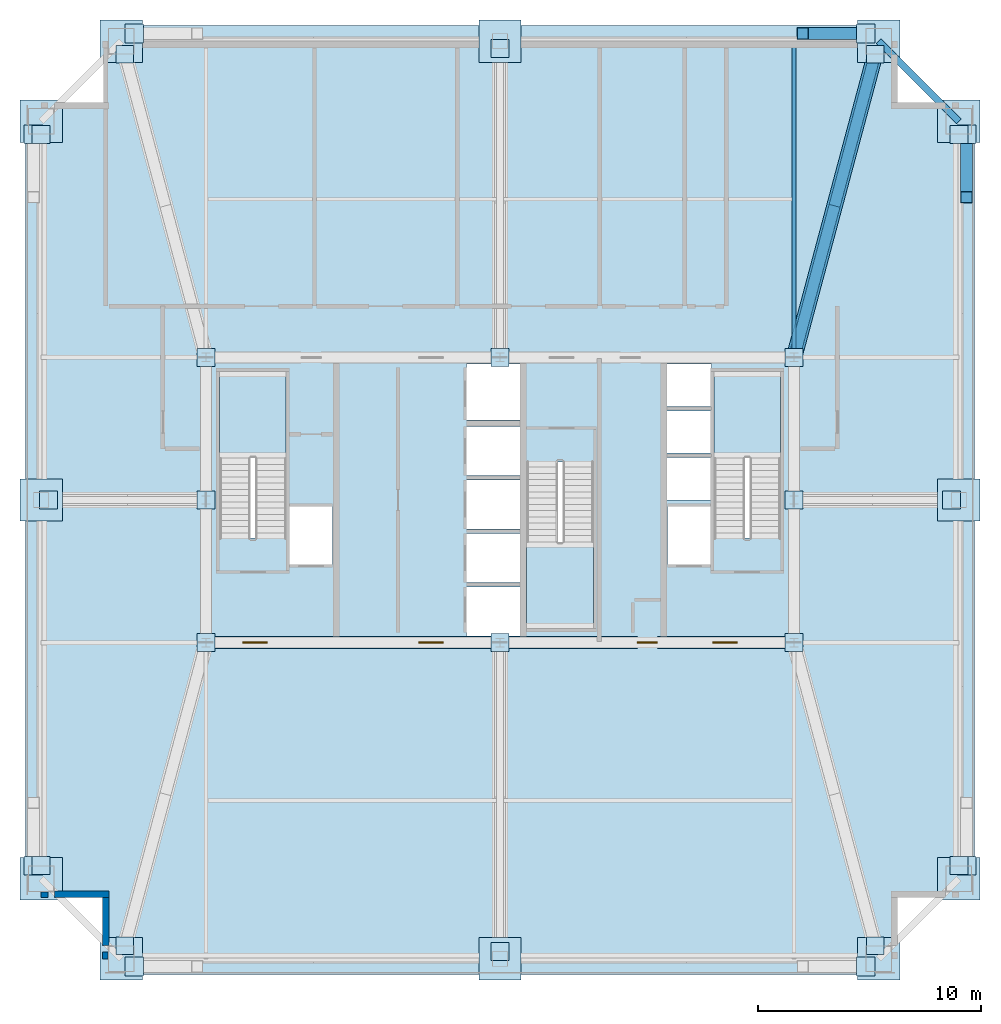
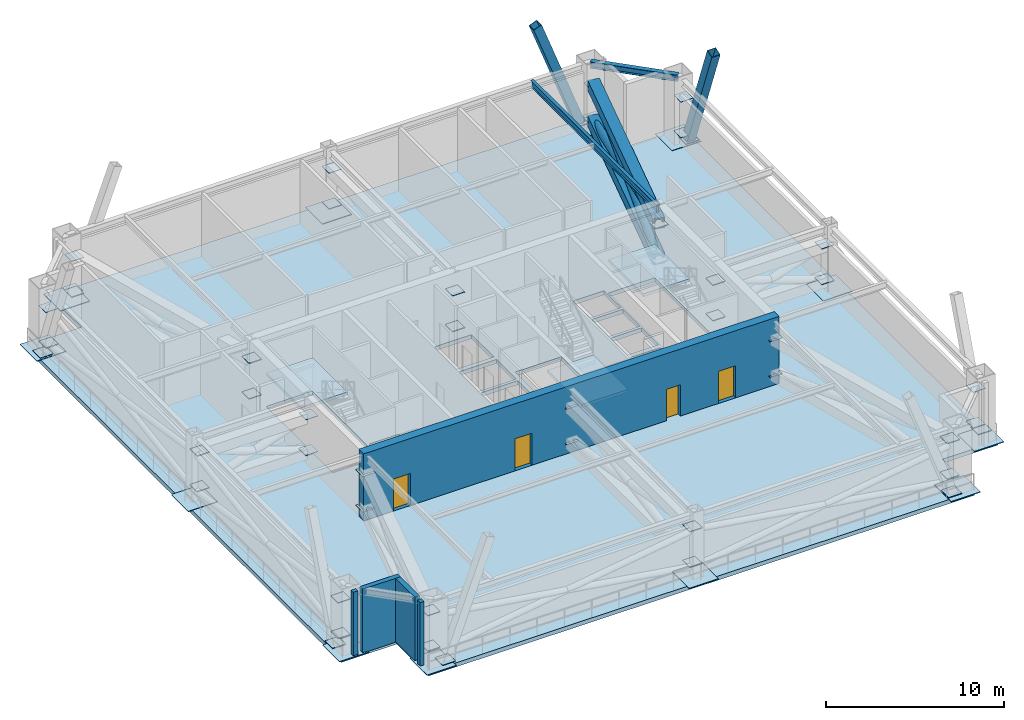
# One storey, part 3 of 9: 60 plates, 6 members, 5 walls, 4 doors, 4 slabs, 2 beams, 4 openings, 3 elements without a shape of their own.
"""IFC4 building model written with IfcOpenShell, lengths in metres."""

from ifc_helpers import new_model, si_unit, direction, frame, frame_2d, origin, origin_2d, place, context, subcontext, project, spatial, polyline, rectangle, hollow_rectangle, hollow_circle, i_section, outline, extrude, source, transform, mapped, material, layer, layer_set, material_profile, profile_set, type_object, element, fill, aggregate, save


model = new_model("IFC4")

# Units and contexts
model_context = context("Model", 3, precision=1e-05, world=origin(), true_north=direction((0.0, 1.0)))
body_context = subcontext(model_context, "Body", "Model", "MODEL_VIEW")
ifc_project = project(units=[si_unit("LENGTHUNIT", "METRE"), si_unit("AREAUNIT", "SQUARE_METRE"), si_unit("VOLUMEUNIT", "CUBIC_METRE"), si_unit("PLANEANGLEUNIT", "RADIAN"), si_unit("MASSUNIT", "GRAM", prefix="KILO"), si_unit("THERMODYNAMICTEMPERATUREUNIT", "KELVIN"), si_unit("POWERUNIT", "WATT")], contexts=[model_context])

# Site, building, storey
site_placement = place(None, origin())
site = spatial("IfcSite", under=ifc_project, at=site_placement, CompositionType="ELEMENT")
building_placement = place(site_placement, origin())
building = spatial("IfcBuilding", under=site, at=building_placement, Name="Yuzanri Waterfront Tower", CompositionType="ELEMENT")
storey_placement = place(building_placement, frame((0.0, 0.0, 219.5)))
storey = spatial("IfcBuildingStorey", under=building, at=storey_placement, Name="L58", CompositionType="ELEMENT", Elevation=219.5)

# Beams
ifc_material_1 = material(Name="Steel Q355B", Category="steel")
ifc_material_profile_1 = material_profile(ifc_material_1, i_section(OverallWidth=0.300048828125, OverallDepth=0.43994140625, WebThickness=0.010986328125, FlangeThickness=0.01806640625, at=origin_2d()), Name="HM 440x300x11x18")
ifc_profile_set_1 = profile_set([ifc_material_profile_1], Name="Steel Q355B")
beam_type_1 = type_object("IfcBeamType", Name="Perimeter Spandrel Q355B HM 440x300", PredefinedType="SPANDREL", material=ifc_profile_set_1)
shared_shape_1 = source(origin(), body_context, "Body", "SweptSolid", [
    extrude(i_section(OverallWidth=0.300048828125, OverallDepth=0.43994140625, WebThickness=0.010986328125, FlangeThickness=0.01806640625, at=origin_2d()), origin(), (0.0, 0.0, 1.0), 5.091064453125),
])
beam_1_placement = place(storey_placement, frame((57.60009765625, 42.800048828125, 4.159912109375), z_axis=(-0.707130757816, 0.707082803744, 0.0), x_axis=(-0.707082803744, -0.707130757816, 0.0)))
element("IfcBeam", 1, at=beam_1_placement, inside=storey, type_object=beam_type_1, Name="L58 Perimeter Spandrel E3-N3", PredefinedType="SPANDREL", context=body_context, shape_type="MappedRepresentation", body=[
    mapped(shared_shape_1, transform((0.0, 0.0, 0.0), scale=1.0)),
])
ifc_material_2 = material(Name="Steel Q355B", Category="steel")
ifc_material_profile_2 = material_profile(ifc_material_2, i_section(OverallWidth=0.199951171875, OverallDepth=0.449951171875, WebThickness=0.009033203125, FlangeThickness=0.013916015625, at=origin_2d()), Name="HN 450x200x9x14")
ifc_profile_set_2 = profile_set([ifc_material_profile_2], Name="Steel Q355B")
beam_type_2 = type_object("IfcBeamType", Name="Secondary Floor Beam Q355B HN 450x200", PredefinedType="BEAM", material=ifc_profile_set_2)
shared_shape_2 = source(origin(), body_context, "Body", "SweptSolid", [
    extrude(i_section(OverallWidth=0.199951171875, OverallDepth=0.449951171875, WebThickness=0.009033203125, FlangeThickness=0.013916015625, at=origin_2d()), origin(), (0.0, 0.0, 1.0), 14.199951171875),
])
beam_2_placement = place(storey_placement, frame((50.199951171875, 32.199951171875, 4.155029296875), z_axis=(0.0, 1.0, 0.0), x_axis=(-1.0, 0.0, 0.0)))
element("IfcBeam", 2, at=beam_2_placement, inside=storey, type_object=beam_type_2, Name="L58 North-East Core Line Beam", PredefinedType="BEAM", context=body_context, shape_type="MappedRepresentation", body=[
    mapped(shared_shape_2, transform((0.0, 0.0, 0.0), scale=1.0)),
])

# Members
ifc_material_3 = material(Name="Steel Q390GJC", Category="steel")
ifc_material_profile_3 = material_profile(ifc_material_3, hollow_rectangle(XDim=0.550048828125, YDim=0.550048828125, WallThickness=0.02490234375, at=origin_2d()), Name="RHS 550x550x25")
ifc_profile_set_3 = profile_set([ifc_material_profile_3], Name="Steel Q390GJC")
member_type_1 = type_object("IfcMemberType", Name="Mega Brace Mid Q390GJC RHS 550x550x25", PredefinedType="BRACE", material=ifc_profile_set_3)
shared_shape_3 = source(origin(), body_context, "Body", "SweptSolid", [
    extrude(hollow_rectangle(XDim=0.550048828125, YDim=0.550048828125, WallThickness=0.02490234375, at=origin_2d()), origin(), (0.0, 0.0, 1.0), 8.1064453125),
])
for number, where, z_axis, x_axis, name in (
    (3, (53.419921875, 46.739990234375, 0.179931640625), (-0.347853792424, 0.0, 0.937548792915), (0.0, -1.0, 0.0), "L58-L59 Perimeter Mega-Brace N-R"),
    (4, (57.93994140625, 42.219970703125, 0.179931640625), (0.0, -0.347880264969, 0.937538970521), (1.0, 0.0, 0.0), "L58-L59 Perimeter Mega-Brace E-R"),
):
    element("IfcMember", number, at=place(storey_placement, frame(where, z_axis=z_axis, x_axis=x_axis)), inside=storey, type_object=member_type_1, Name=name, PredefinedType="BRACE", context=body_context, shape_type="MappedRepresentation", body=[
        mapped(shared_shape_3, transform((0.0, 0.0, 0.0), scale=1.0)),
    ])
ifc_material_4 = material(Name="Steel Q420GJC", Category="steel")
ifc_material_profile_4 = material_profile(ifc_material_4, hollow_rectangle(XDim=0.699951171875, YDim=0.699951171875, WallThickness=0.031982421875, at=origin_2d()), Name="RHS 700x700x32")
ifc_profile_set_4 = profile_set([ifc_material_profile_4], Name="Steel Q420GJC")
member_type_2 = type_object("IfcMemberType", Name="Outrigger Chord Q420GJC RHS 700x700x32", PredefinedType="CHORD", material=ifc_profile_set_4)
shared_shape_4 = source(origin(), body_context, "Body", "SweptSolid", [
    extrude(hollow_rectangle(XDim=0.699951171875, YDim=0.699951171875, WallThickness=0.031982421875, at=origin_2d()), origin(), (0.0, 0.0, 1.0), 14.093994140625),
])
for number, where, z_axis, x_axis, name in (
    (5, (50.199951171875, 32.199951171875, 0.719970703125), (0.258516440728, 0.966006858088, 0.0), (-0.966006858088, 0.258516440728, 0.0), "L58 Outrigger Bottom Chord N3"),
    (6, (50.199951171875, 32.199951171875, 3.159912109375), (0.258516440728, 0.966006858088, 0.0), (-0.966006858088, 0.258516440728, 0.0), "L58 Outrigger Top Chord N3"),
):
    element("IfcMember", number, at=place(storey_placement, frame(where, z_axis=z_axis, x_axis=x_axis)), inside=storey, type_object=member_type_2, Name=name, PredefinedType="CHORD", context=body_context, shape_type="MappedRepresentation", body=[
        mapped(shared_shape_4, transform((0.0, 0.0, 0.0), scale=1.0)),
    ])
ifc_material_5 = material(Name="Steel Q420GJC", Category="steel")
ifc_material_profile_5 = material_profile(ifc_material_5, hollow_circle(Radius=0.25390625, WallThickness=0.02001953125, at=origin_2d()), Name="CHS 508x20")
ifc_profile_set_5 = profile_set([ifc_material_profile_5], Name="Steel Q420GJC")
member_type_3 = type_object("IfcMemberType", Name="Outrigger Diagonal Q420GJC CHS 508x20", PredefinedType="BRACE", material=ifc_profile_set_5)
shared_shape_5 = source(origin(), body_context, "Body", "SweptSolid", [
    extrude(hollow_circle(Radius=0.25390625, WallThickness=0.02001953125, at=origin_2d()), origin(), (0.0, 0.0, 1.0), 14.3037109375),
])
for number, where, z_axis, x_axis, name in (
    (7, (50.199951171875, 32.199951171875, 0.719970703125), (0.254727546341, 0.951848772234, 0.170580749004), (-0.966006858088, 0.258516440728, 0.0), "L58 Outrigger Diagonal 1 N3"),
    (8, (50.199951171875, 32.199951171875, 3.159912109375), (0.254727546341, 0.951848772234, -0.170580749004), (-0.966006858088, 0.258516440728, 0.0), "L58 Outrigger Diagonal 2 N3"),
):
    element("IfcMember", number, at=place(storey_placement, frame(where, z_axis=z_axis, x_axis=x_axis)), inside=storey, type_object=member_type_3, Name=name, PredefinedType="BRACE", context=body_context, shape_type="MappedRepresentation", body=[
        mapped(shared_shape_5, transform((0.0, 0.0, 0.0), scale=1.0)),
    ])

# Stair, slab
ifc_material_6 = material(Name="Concrete C40", Category="concrete")
stair_type = type_object("IfcStairType", Name="Concrete C40 Core Dogleg Exit Stair", PredefinedType="HALF_TURN_STAIR", material=ifc_material_6)
stair_1_placement = place(storey_placement, origin())
stair_1 = element("IfcStair", 9, at=stair_1_placement, inside=storey, type_object=stair_type, Name="L58 Smoke-Proof Core Stair ST-01", PredefinedType="HALF_TURN_STAIR")
ifc_material_7 = material(Name="Concrete C40", Category="concrete")
ifc_layer_1 = layer(ifc_material_7, 0.179931640625)
ifc_layer_set_1 = layer_set([ifc_layer_1], Name="Concrete C40")
slab_type_1 = type_object("IfcSlabType", Name="Concrete C40 Stair Half-Landing Slab 180", PredefinedType="LANDING", material=ifc_layer_set_1)
slab_1_placement = place(storey_placement, frame((0.0, 0.0, 2.10009765625)))
slab_1 = element("IfcSlab", 10, at=slab_1_placement, type_object=slab_type_1, Name="ST-01 landing 1", PredefinedType="LANDING", context=body_context, shape_type="SweptSolid", body=[
    extrude(outline(polyline([(27.39990234375, 27.679931640625), (27.39990234375, 31.580078125), (24.39990234375, 31.580078125), (24.39990234375, 27.679931640625), (27.39990234375, 27.679931640625)])), origin(), (0.0, 0.0, 1.0), 0.199951171875),
])
aggregate(stair_1, [slab_1])

stair_2_placement = place(storey_placement, origin())
stair_2 = element("IfcStair", 11, at=stair_2_placement, inside=storey, type_object=stair_type, Name="L58 Smoke-Proof Core Stair ST-02", PredefinedType="HALF_TURN_STAIR")
slab_2_placement = place(storey_placement, frame((0.0, 0.0, 2.10009765625)))
slab_2 = element("IfcSlab", 12, at=slab_2_placement, type_object=slab_type_1, Name="ST-02 landing 1", PredefinedType="LANDING", context=body_context, shape_type="SweptSolid", body=[
    extrude(outline(polyline([(49.60009765625, 27.679931640625), (49.60009765625, 31.580078125), (46.60009765625, 31.580078125), (46.60009765625, 27.679931640625), (49.60009765625, 27.679931640625)])), origin(), (0.0, 0.0, 1.0), 0.199951171875),
])
aggregate(stair_2, [slab_2])

stair_3_placement = place(storey_placement, origin())
stair_3 = element("IfcStair", 13, at=stair_3_placement, inside=storey, type_object=stair_type, Name="L58 Smoke-Proof Core Stair ST-03", PredefinedType="HALF_TURN_STAIR")
slab_3_placement = place(storey_placement, frame((0.0, 0.0, 2.10009765625)))
slab_3 = element("IfcSlab", 14, at=slab_3_placement, type_object=slab_type_1, Name="ST-03 landing 1", PredefinedType="LANDING", context=body_context, shape_type="SweptSolid", body=[
    extrude(outline(polyline([(38.199951171875, 23.919921875), (38.199951171875, 20.02001953125), (41.199951171875, 20.02001953125), (41.199951171875, 23.919921875), (38.199951171875, 23.919921875)])), origin(), (0.0, 0.0, 1.0), 0.199951171875),
])
aggregate(stair_3, [slab_3])

# Slab
ifc_material_8 = material(Name="Concrete C45", Category="concrete")
ifc_layer_2 = layer(ifc_material_8, 0.280029296875)
ifc_layer_set_2 = layer_set([ifc_layer_2], Name="Concrete C45")
slab_type_2 = type_object("IfcSlabType", Name="Concrete C45 Podium and Refuge Structural Floor Slab 280", PredefinedType="FLOOR", material=ifc_layer_set_2)
slab_4_placement = place(storey_placement, frame((0.0, 0.0, -0.280029296875)))
element("IfcSlab", 15, at=slab_4_placement, inside=storey, type_object=slab_type_2, Name="L58 Main Structural Floor Slab", PredefinedType="FLOOR", context=body_context, shape_type="SweptSolid", body=[
    extrude(outline(polyline([(19.300048828125, 4.5), (54.699951171875, 4.5), (54.699951171875, 8.10009765625), (58.300048828125, 8.10009765625), (58.300048828125, 43.5), (54.699951171875, 43.5), (54.699951171875, 47.10009765625), (19.300048828125, 47.10009765625), (19.300048828125, 43.5), (15.699951171875, 43.5), (15.699951171875, 8.10009765625), (19.300048828125, 8.10009765625), (19.300048828125, 4.5)]), holes=[polyline([(27.39990234375, 24.10009765625), (27.39990234375, 31.580078125), (24.39990234375, 31.580078125), (24.39990234375, 24.10009765625), (27.39990234375, 24.10009765625)]), polyline([(49.60009765625, 24.10009765625), (49.60009765625, 31.580078125), (46.60009765625, 31.580078125), (46.60009765625, 24.10009765625), (49.60009765625, 24.10009765625)]), polyline([(38.199951171875, 27.5), (38.199951171875, 20.02001953125), (41.199951171875, 20.02001953125), (41.199951171875, 27.5), (38.199951171875, 27.5)]), polyline([(27.56005859375, 22.89990234375), (29.47998046875, 22.89990234375), (29.47998046875, 25.5), (27.56005859375, 25.5), (27.56005859375, 22.89990234375)]), polyline([(44.52001953125, 22.89990234375), (46.43994140625, 22.89990234375), (46.43994140625, 25.5), (44.52001953125, 25.5), (44.52001953125, 22.89990234375)]), polyline([(35.5, 19.699951171875), (37.89990234375, 19.699951171875), (37.89990234375, 21.89990234375), (35.5, 21.89990234375), (35.5, 19.699951171875)]), polyline([(35.5, 22.10009765625), (37.89990234375, 22.10009765625), (37.89990234375, 24.300048828125), (35.5, 24.300048828125), (35.5, 22.10009765625)]), polyline([(35.5, 24.5), (37.89990234375, 24.5), (37.89990234375, 26.699951171875), (35.5, 26.699951171875), (35.5, 24.5)]), polyline([(35.5, 26.89990234375), (37.89990234375, 26.89990234375), (37.89990234375, 29.10009765625), (35.5, 29.10009765625), (35.5, 26.89990234375)]), polyline([(35.5, 29.39990234375), (37.89990234375, 29.39990234375), (37.89990234375, 31.89990234375), (35.5, 31.89990234375), (35.5, 29.39990234375)]), polyline([(44.5, 25.800048828125), (46.5, 25.800048828125), (46.5, 27.699951171875), (44.5, 27.699951171875), (44.5, 25.800048828125)]), polyline([(44.5, 27.89990234375), (46.5, 27.89990234375), (46.5, 29.800048828125), (44.5, 29.800048828125), (44.5, 27.89990234375)]), polyline([(44.5, 30.0), (46.5, 30.0), (46.5, 31.89990234375), (44.5, 31.89990234375), (44.5, 30.0)])]), origin(), (0.0, 0.0, 1.0), 0.280029296875),
])

# Plates
ifc_material_9 = material(Name="Steel Q420GJC", Category="steel")
ifc_layer_3 = layer(ifc_material_9, 0.044921875)
ifc_layer_set_3 = layer_set([ifc_layer_3], Name="Steel Q420GJC")
plate_type_1 = type_object("IfcPlateType", Name="Steel Q420GJC Setback Column-Transfer Diaphragm Cap Plate 45", PredefinedType="SHEET", material=ifc_layer_set_3)
shared_shape_6 = source(origin(), body_context, "Body", "SweptSolid", [
    extrude(rectangle(XDim=1.89990234375, YDim=1.89990234375, at=origin_2d()), origin(), (0.0, 0.0, 1.0), 0.044921875),
])
for number, where, z_axis, x_axis, name in (
    (16, (20.0, 5.199951171875, -0.0224609375), (0.0, 0.0, 1.0), (1.0, 0.0, 0.0), "L58 Column Base Closure Plate S1"),
    (17, (37.0, 5.199951171875, -0.0224609375), (0.0, 0.0, 1.0), (1.0, 0.0, 0.0), "L58 Column Base Closure Plate S2"),
    (18, (54.0, 5.199951171875, -0.0224609375), (0.0, 0.0, 1.0), (1.0, 0.0, 0.0), "L58 Column Base Closure Plate S3"),
    (19, (20.0, 46.39990234375, -0.0224609375), (0.0, 0.0, 1.0), (1.0, 0.0, 0.0), "L58 Column Base Closure Plate N1"),
    (20, (37.0, 46.39990234375, -0.0224609375), (0.0, 0.0, 1.0), (1.0, 0.0, 0.0), "L58 Column Base Closure Plate N2"),
    (21, (54.0, 46.39990234375, -0.0224609375), (0.0, 0.0, 1.0), (1.0, 0.0, 0.0), "L58 Column Base Closure Plate N3"),
    (22, (16.39990234375, 8.800048828125, -0.0224609375), (0.0, 0.0, 1.0), (1.0, 0.0, 0.0), "L58 Column Base Closure Plate W1"),
    (23, (16.39990234375, 25.800048828125, -0.0224609375), (0.0, 0.0, 1.0), (1.0, 0.0, 0.0), "L58 Column Base Closure Plate W2"),
    (24, (16.39990234375, 42.800048828125, -0.0224609375), (0.0, 0.0, 1.0), (1.0, 0.0, 0.0), "L58 Column Base Closure Plate W3"),
    (25, (57.60009765625, 8.800048828125, -0.0224609375), (0.0, 0.0, 1.0), (1.0, 0.0, 0.0), "L58 Column Base Closure Plate E1"),
    (26, (57.60009765625, 25.800048828125, -0.0224609375), (0.0, 0.0, 1.0), (1.0, 0.0, 0.0), "L58 Column Base Closure Plate E2"),
    (27, (57.60009765625, 42.800048828125, -0.0224609375), (0.0, 0.0, 1.0), (1.0, 0.0, 0.0), "L58 Column Base Closure Plate E3"),
):
    element("IfcPlate", number, at=place(storey_placement, frame(where, z_axis=z_axis, x_axis=x_axis)), inside=storey, type_object=plate_type_1, Name=name, PredefinedType="SHEET", context=body_context, shape_type="MappedRepresentation", body=[
        mapped(shared_shape_6, transform((0.0, 0.0, 0.0), scale=1.0)),
    ])
ifc_material_10 = material(Name="Steel Q420GJC", Category="steel")
ifc_layer_4 = layer(ifc_material_10, 0.0400390625)
ifc_layer_set_4 = layer_set([ifc_layer_4], Name="Steel Q420GJC")
plate_type_2 = type_object("IfcPlateType", Name="Steel Q420GJC Mega-Brace Gusset and End-Cap Plate 40", PredefinedType="SHEET", material=ifc_layer_set_4)
shared_shape_7 = source(origin(), body_context, "Body", "SweptSolid", [
    extrude(rectangle(XDim=0.85009765625, YDim=0.85009765625, at=origin_2d()), origin(), (0.0, 0.0, 1.0), 0.0400390625),
])
for number, where, z_axis, x_axis, name in (
    (28, (20.580078125, 4.860107421875, 0.159912109375), (0.0, 0.0, 1.0), (1.0, 0.0, 0.0), "L58 Mega-Brace Foot Cap Plate S-L"),
    (29, (53.419921875, 4.860107421875, 0.159912109375), (0.0, 0.0, 1.0), (1.0, 0.0, 0.0), "L58 Mega-Brace Foot Cap Plate S-R"),
    (30, (20.580078125, 46.739990234375, 0.159912109375), (0.0, 0.0, 1.0), (1.0, 0.0, 0.0), "L58 Mega-Brace Foot Cap Plate N-L"),
    (31, (53.419921875, 46.739990234375, 0.159912109375), (0.0, 0.0, 1.0), (1.0, 0.0, 0.0), "L58 Mega-Brace Foot Cap Plate N-R"),
    (32, (16.06005859375, 9.3798828125, 0.159912109375), (0.0, 0.0, 1.0), (1.0, 0.0, 0.0), "L58 Mega-Brace Foot Cap Plate W-L"),
    (33, (16.06005859375, 42.219970703125, 0.159912109375), (0.0, 0.0, 1.0), (1.0, 0.0, 0.0), "L58 Mega-Brace Foot Cap Plate W-R"),
    (34, (57.93994140625, 9.3798828125, 0.159912109375), (0.0, 0.0, 1.0), (1.0, 0.0, 0.0), "L58 Mega-Brace Foot Cap Plate E-L"),
    (35, (57.93994140625, 42.219970703125, 0.159912109375), (0.0, 0.0, 1.0), (1.0, 0.0, 0.0), "L58 Mega-Brace Foot Cap Plate E-R"),
):
    element("IfcPlate", number, at=place(storey_placement, frame(where, z_axis=z_axis, x_axis=x_axis)), inside=storey, type_object=plate_type_2, Name=name, PredefinedType="SHEET", context=body_context, shape_type="MappedRepresentation", body=[
        mapped(shared_shape_7, transform((0.0, 0.0, 0.0), scale=1.0)),
    ])
ifc_material_11 = material(Name="Steel Q420GJC", Category="steel")
ifc_layer_5 = layer(ifc_material_11, 0.031982421875)
ifc_layer_set_5 = layer_set([ifc_layer_5], Name="Steel Q420GJC")
plate_type_3 = type_object("IfcPlateType", Name="Steel Q420GJC Outrigger-to-Core Embedment Cap Plate 32", PredefinedType="SHEET", material=ifc_layer_set_5)
shared_shape_8 = source(origin(), body_context, "Body", "SweptSolid", [
    extrude(rectangle(XDim=0.800048828125, YDim=0.800048828125, at=origin_2d()), origin(), (0.0, 0.0, 1.0), 0.031982421875),
])
for number, where, z_axis, x_axis, name in (
    (36, (37.0, 19.39990234375, 0.7041015625), (0.0, 0.0, 1.0), (1.0, 0.0, 0.0), "L58 Outrigger Core Lower Cap S2"),
    (37, (37.0, 19.39990234375, 3.14404296875), (0.0, 0.0, 1.0), (1.0, 0.0, 0.0), "L58 Outrigger Core Upper Cap S2"),
    (38, (37.0, 32.199951171875, 0.7041015625), (0.0, 0.0, 1.0), (1.0, 0.0, 0.0), "L58 Outrigger Core Lower Cap N2"),
    (39, (37.0, 32.199951171875, 3.14404296875), (0.0, 0.0, 1.0), (1.0, 0.0, 0.0), "L58 Outrigger Core Upper Cap N2"),
    (40, (23.800048828125, 25.800048828125, 0.7041015625), (0.0, 0.0, 1.0), (1.0, 0.0, 0.0), "L58 Outrigger Core Lower Cap W2"),
    (41, (23.800048828125, 25.800048828125, 3.14404296875), (0.0, 0.0, 1.0), (1.0, 0.0, 0.0), "L58 Outrigger Core Upper Cap W2"),
    (42, (50.199951171875, 25.800048828125, 0.7041015625), (0.0, 0.0, 1.0), (1.0, 0.0, 0.0), "L58 Outrigger Core Lower Cap E2"),
    (43, (50.199951171875, 25.800048828125, 3.14404296875), (0.0, 0.0, 1.0), (1.0, 0.0, 0.0), "L58 Outrigger Core Upper Cap E2"),
    (44, (23.800048828125, 19.39990234375, 0.7041015625), (0.0, 0.0, 1.0), (1.0, 0.0, 0.0), "L58 Outrigger Core Lower Cap S1"),
    (45, (23.800048828125, 19.39990234375, 3.14404296875), (0.0, 0.0, 1.0), (1.0, 0.0, 0.0), "L58 Outrigger Core Upper Cap S1"),
    (46, (50.199951171875, 19.39990234375, 0.7041015625), (0.0, 0.0, 1.0), (1.0, 0.0, 0.0), "L58 Outrigger Core Lower Cap S3"),
    (47, (50.199951171875, 19.39990234375, 3.14404296875), (0.0, 0.0, 1.0), (1.0, 0.0, 0.0), "L58 Outrigger Core Upper Cap S3"),
    (48, (23.800048828125, 32.199951171875, 0.7041015625), (0.0, 0.0, 1.0), (1.0, 0.0, 0.0), "L58 Outrigger Core Lower Cap N1"),
    (49, (23.800048828125, 32.199951171875, 3.14404296875), (0.0, 0.0, 1.0), (1.0, 0.0, 0.0), "L58 Outrigger Core Upper Cap N1"),
    (50, (50.199951171875, 32.199951171875, 0.7041015625), (0.0, 0.0, 1.0), (1.0, 0.0, 0.0), "L58 Outrigger Core Lower Cap N3"),
    (51, (50.199951171875, 32.199951171875, 3.14404296875), (0.0, 0.0, 1.0), (1.0, 0.0, 0.0), "L58 Outrigger Core Upper Cap N3"),
    (52, (57.60009765625, 9.385009765625, 0.7041015625), (0.0, 0.0, 1.0), (1.0, 0.0, 0.0), "L58 Perimeter Truss Node Lower Cap E1"),
    (53, (57.60009765625, 9.385009765625, 3.14404296875), (0.0, 0.0, 1.0), (1.0, 0.0, 0.0), "L58 Perimeter Truss Node Upper Cap E1"),
    (54, (57.264892578125, 25.800048828125, 0.7041015625), (0.0, 0.0, 1.0), (1.0, 0.0, 0.0), "L58 Perimeter Truss Node Lower Cap E2"),
    (55, (57.264892578125, 25.800048828125, 3.14404296875), (0.0, 0.0, 1.0), (1.0, 0.0, 0.0), "L58 Perimeter Truss Node Upper Cap E2"),
    (56, (57.60009765625, 42.215087890625, 0.7041015625), (0.0, 0.0, 1.0), (1.0, 0.0, 0.0), "L58 Perimeter Truss Node Lower Cap E3"),
    (57, (57.60009765625, 42.215087890625, 3.14404296875), (0.0, 0.0, 1.0), (1.0, 0.0, 0.0), "L58 Perimeter Truss Node Upper Cap E3"),
    (58, (20.156494140625, 45.81494140625, 0.7041015625), (0.0, 0.0, 1.0), (1.0, 0.0, 0.0), "L58 Perimeter Truss Node Lower Cap N1"),
    (59, (20.156494140625, 45.81494140625, 3.14404296875), (0.0, 0.0, 1.0), (1.0, 0.0, 0.0), "L58 Perimeter Truss Node Upper Cap N1"),
    (60, (37.0, 46.06494140625, 0.7041015625), (0.0, 0.0, 1.0), (1.0, 0.0, 0.0), "L58 Perimeter Truss Node Lower Cap N2"),
    (61, (37.0, 46.06494140625, 3.14404296875), (0.0, 0.0, 1.0), (1.0, 0.0, 0.0), "L58 Perimeter Truss Node Upper Cap N2"),
    (62, (53.843505859375, 45.81494140625, 0.7041015625), (0.0, 0.0, 1.0), (1.0, 0.0, 0.0), "L58 Perimeter Truss Node Lower Cap N3"),
    (63, (53.843505859375, 45.81494140625, 3.14404296875), (0.0, 0.0, 1.0), (1.0, 0.0, 0.0), "L58 Perimeter Truss Node Upper Cap N3"),
    (64, (20.156494140625, 5.784912109375, 0.7041015625), (0.0, 0.0, 1.0), (1.0, 0.0, 0.0), "L58 Perimeter Truss Node Lower Cap S1"),
    (65, (20.156494140625, 5.784912109375, 3.14404296875), (0.0, 0.0, 1.0), (1.0, 0.0, 0.0), "L58 Perimeter Truss Node Upper Cap S1"),
    (66, (37.0, 5.534912109375, 0.7041015625), (0.0, 0.0, 1.0), (1.0, 0.0, 0.0), "L58 Perimeter Truss Node Lower Cap S2"),
    (67, (37.0, 5.534912109375, 3.14404296875), (0.0, 0.0, 1.0), (1.0, 0.0, 0.0), "L58 Perimeter Truss Node Upper Cap S2"),
    (68, (53.843505859375, 5.784912109375, 0.7041015625), (0.0, 0.0, 1.0), (1.0, 0.0, 0.0), "L58 Perimeter Truss Node Lower Cap S3"),
    (69, (53.843505859375, 5.784912109375, 3.14404296875), (0.0, 0.0, 1.0), (1.0, 0.0, 0.0), "L58 Perimeter Truss Node Upper Cap S3"),
    (70, (16.39990234375, 9.385009765625, 0.7041015625), (0.0, 0.0, 1.0), (1.0, 0.0, 0.0), "L58 Perimeter Truss Node Lower Cap W1"),
    (71, (16.39990234375, 9.385009765625, 3.14404296875), (0.0, 0.0, 1.0), (1.0, 0.0, 0.0), "L58 Perimeter Truss Node Upper Cap W1"),
    (72, (16.735107421875, 25.800048828125, 0.7041015625), (0.0, 0.0, 1.0), (1.0, 0.0, 0.0), "L58 Perimeter Truss Node Lower Cap W2"),
    (73, (16.735107421875, 25.800048828125, 3.14404296875), (0.0, 0.0, 1.0), (1.0, 0.0, 0.0), "L58 Perimeter Truss Node Upper Cap W2"),
    (74, (16.39990234375, 42.215087890625, 0.7041015625), (0.0, 0.0, 1.0), (1.0, 0.0, 0.0), "L58 Perimeter Truss Node Lower Cap W3"),
    (75, (16.39990234375, 42.215087890625, 3.14404296875), (0.0, 0.0, 1.0), (1.0, 0.0, 0.0), "L58 Perimeter Truss Node Upper Cap W3"),
):
    element("IfcPlate", number, at=place(storey_placement, frame(where, z_axis=z_axis, x_axis=x_axis)), inside=storey, type_object=plate_type_3, Name=name, PredefinedType="SHEET", context=body_context, shape_type="MappedRepresentation", body=[
        mapped(shared_shape_8, transform((0.0, 0.0, 0.0), scale=1.0)),
    ])

# Wall, openings, doors
ifc_material_12 = material(Name="Concrete C50", Category="concrete")
ifc_layer_6 = layer(ifc_material_12, 0.550048828125)
ifc_layer_set_6 = layer_set([ifc_layer_6], Name="Concrete C50")
wall_type_1 = type_object("IfcWallType", Name="Concrete C50 Upper-Mid Zone Core Shear Wall 550", PredefinedType="SHEAR", material=ifc_layer_set_6)
wall_placement = place(storey_placement, frame((23.52490234375, 19.39990234375, 0.0), z_axis=(0.0, 0.0, 1.0), x_axis=(1.0, 0.0, 0.0)))
wall = element("IfcWall", 76, at=wall_placement, inside=storey, type_object=wall_type_1, Name="L58 Core South Shear Wall", PredefinedType="SHEAR", context=body_context, shape_type="SweptSolid", body=[
    extrude(rectangle(XDim=26.9501953125, YDim=0.550048828125, at=frame_2d((13.47509765625, 0.0))), origin(), (0.0, 0.0, 1.0), 4.60009765625),
])
opening_1_placement = place(wall_placement, frame((1.925048828125, 0.0, 0.0)))
opening_1 = element("IfcOpeningElement", 77, at=opening_1_placement, cuts=wall, Name="Opening FD-1100", PredefinedType="OPENING", context=body_context, shape_type="SweptSolid", body=[
    extrude(rectangle(XDim=1.10009765625, YDim=2.199951171875, at=frame_2d((0.550048828125, 1.10009765625))), frame((0.0, 0.2900390625, 0.0), z_axis=(0.0, -1.0, 0.0), x_axis=(1.0, 0.0, 0.0)), (0.0, 0.0, 1.0), 0.579833984375),
])
opening_2_placement = place(wall_placement, frame((9.824951171875, 0.0, 0.0)))
opening_2 = element("IfcOpeningElement", 78, at=opening_2_placement, cuts=wall, Name="Opening FD-1100", PredefinedType="OPENING", context=body_context, shape_type="SweptSolid", body=[
    extrude(rectangle(XDim=1.10009765625, YDim=2.199951171875, at=frame_2d((0.550048828125, 1.10009765625))), frame((0.0, 0.2900390625, 0.0), z_axis=(0.0, -1.0, 0.0), x_axis=(1.0, 0.0, 0.0)), (0.0, 0.0, 1.0), 0.579833984375),
])
opening_3_placement = place(wall_placement, frame((23.02490234375, 0.0, 0.0)))
opening_3 = element("IfcOpeningElement", 79, at=opening_3_placement, cuts=wall, Name="Opening FD-1100", PredefinedType="OPENING", context=body_context, shape_type="SweptSolid", body=[
    extrude(rectangle(XDim=1.10009765625, YDim=2.199951171875, at=frame_2d((0.550048828125, 1.10009765625))), frame((0.0, 0.2900390625, 0.0), z_axis=(0.0, -1.0, 0.0), x_axis=(1.0, 0.0, 0.0)), (0.0, 0.0, 1.0), 0.579833984375),
])
opening_4_placement = place(wall_placement, frame((19.64501953125, 0.0, 0.0)))
opening_4 = element("IfcOpeningElement", 80, at=opening_4_placement, cuts=wall, Name="Opening FD-0900", PredefinedType="OPENING", context=body_context, shape_type="SweptSolid", body=[
    extrude(rectangle(XDim=0.89990234375, YDim=2.14990234375, at=frame_2d((0.449951171875, 1.074951171875))), frame((0.0, 0.2900390625, 0.0), z_axis=(0.0, -1.0, 0.0), x_axis=(1.0, 0.0, 0.0)), (0.0, 0.0, 1.0), 0.579833984375),
])
ifc_material_13 = material(Name="Painted Galvanized Fire Steel", Category="steel")
door_type_1 = type_object("IfcDoorType", Name="Smoke-Proof Stair and Lobby Fire Door 1100x2200", OperationType="NOTDEFINED", PredefinedType="DOOR", material=ifc_material_13)
shared_shape_9 = source(origin(), body_context, "Body", "SweptSolid", [
    extrude(rectangle(XDim=1.10009765625, YDim=2.199951171875, at=frame_2d((0.550048828125, 1.10009765625))), frame((0.0, 0.02490234375, 0.0), z_axis=(0.0, -1.0, 0.0), x_axis=(1.0, 0.0, 0.0)), (0.0, 0.0, 1.0), 0.050048828125),
])
door_1_placement = place(opening_1_placement, origin())
door_1 = element("IfcDoor", 81, at=door_1_placement, inside=storey, type_object=door_type_1, Name="L58 West Firefighting Lobby Door", OperationType="SINGLE_SWING_RIGHT", OverallHeight=2.199951171875, OverallWidth=1.10009765625, PredefinedType="DOOR", context=body_context, shape_type="MappedRepresentation", body=[
    mapped(shared_shape_9, transform((0.0, 0.0, 0.0), scale=1.0)),
])
fill(opening_1, door_1)
door_2_placement = place(opening_2_placement, origin())
door_2 = element("IfcDoor", 82, at=door_2_placement, inside=storey, type_object=door_type_1, Name="L58 Central Lift Lobby South Door", OperationType="SINGLE_SWING_LEFT", OverallHeight=2.199951171875, OverallWidth=1.10009765625, PredefinedType="DOOR", context=body_context, shape_type="MappedRepresentation", body=[
    mapped(shared_shape_9, transform((0.0, 0.0, 0.0), scale=1.0)),
])
fill(opening_2, door_2)
door_3_placement = place(opening_3_placement, origin())
door_3 = element("IfcDoor", 83, at=door_3_placement, inside=storey, type_object=door_type_1, Name="L58 East Firefighting Lobby Door", OperationType="SINGLE_SWING_RIGHT", OverallHeight=2.199951171875, OverallWidth=1.10009765625, PredefinedType="DOOR", context=body_context, shape_type="MappedRepresentation", body=[
    mapped(shared_shape_9, transform((0.0, 0.0, 0.0), scale=1.0)),
])
fill(opening_3, door_3)
ifc_material_14 = material(Name="Painted Galvanized Fire Steel", Category="steel")
door_type_2 = type_object("IfcDoorType", Name="Riser and Service Room Fire Door 900x2150", OperationType="NOTDEFINED", PredefinedType="DOOR", material=ifc_material_14)
shared_shape_10 = source(origin(), body_context, "Body", "SweptSolid", [
    extrude(rectangle(XDim=0.89990234375, YDim=2.14990234375, at=frame_2d((0.449951171875, 1.074951171875))), frame((0.0, 0.02490234375, 0.0), z_axis=(0.0, -1.0, 0.0), x_axis=(1.0, 0.0, 0.0)), (0.0, 0.0, 1.0), 0.050048828125),
])
door_4_placement = place(opening_4_placement, origin())
door_4 = element("IfcDoor", 84, at=door_4_placement, inside=storey, type_object=door_type_2, Name="L58 East Wet Riser Door", OperationType="SINGLE_SWING_RIGHT", OverallHeight=2.14990234375, OverallWidth=0.89990234375, PredefinedType="DOOR", context=body_context, shape_type="MappedRepresentation", body=[
    mapped(shared_shape_10, transform((0.0, 0.0, 0.0), scale=1.0)),
])
fill(opening_4, door_4)

# Walls
ifc_material_15 = material(Name="Honed Chongqing Dark Basalt Stone", Category="masonry")
ifc_layer_7 = layer(ifc_material_15, 0.300048828125)
ifc_layer_set_7 = layer_set([ifc_layer_7], Name="Honed Chongqing Dark Basalt Stone")
wall_type_2 = type_object("IfcWallType", Name="Bronze Rainscreen Insulated Spandrel Portal Wall 300", PredefinedType="SOLIDWALL", material=ifc_layer_set_7)
shared_shape_11 = source(origin(), body_context, "Body", "SweptSolid", [
    extrude(rectangle(XDim=2.449951171875, YDim=0.300048828125, at=frame_2d((1.22509765625, 0.0))), origin(), (0.0, 0.0, 1.0), 4.3798828125),
])
for number, where, z_axis, x_axis, name in (
    (85, (17.0, 8.10009765625, 0.0), (0.0, 0.0, 1.0), (1.0, 0.0, 0.0), "L58 Notched Corner Masonry Wall SW-X"),
    (86, (19.300048828125, 8.25, 0.0), (0.0, 0.0, 1.0), (0.0, -1.0, 0.0), "L58 Notched Corner Masonry Wall SW-Y"),
):
    element("IfcWall", number, at=place(storey_placement, frame(where, z_axis=z_axis, x_axis=x_axis)), inside=storey, type_object=wall_type_2, Name=name, PredefinedType="SOLIDWALL", context=body_context, shape_type="MappedRepresentation", body=[
        mapped(shared_shape_11, transform((0.0, 0.0, 0.0), scale=1.0)),
    ])
shared_shape_12 = source(origin(), body_context, "Body", "SweptSolid", [
    extrude(rectangle(XDim=0.25, YDim=0.300048828125, at=frame_2d((0.125, 0.0))), origin(), (0.0, 0.0, 1.0), 4.3798828125),
])
for number, where, z_axis, x_axis, name in (
    (87, (19.14990234375, 5.35009765625, 0.0), (0.0, 0.0, 1.0), (1.0, 0.0, 0.0), "L58 Corner Column Shoulder Return CSW"),
    (88, (16.550048828125, 7.949951171875, 0.0), (0.0, 0.0, 1.0), (0.0, 1.0, 0.0), "L58 Corner Column Shoulder Return CWS"),
):
    element("IfcWall", number, at=place(storey_placement, frame(where, z_axis=z_axis, x_axis=x_axis)), inside=storey, type_object=wall_type_2, Name=name, PredefinedType="SOLIDWALL", context=body_context, shape_type="MappedRepresentation", body=[
        mapped(shared_shape_12, transform((0.0, 0.0, 0.0), scale=1.0)),
    ])

save(model, "model.ifc")
